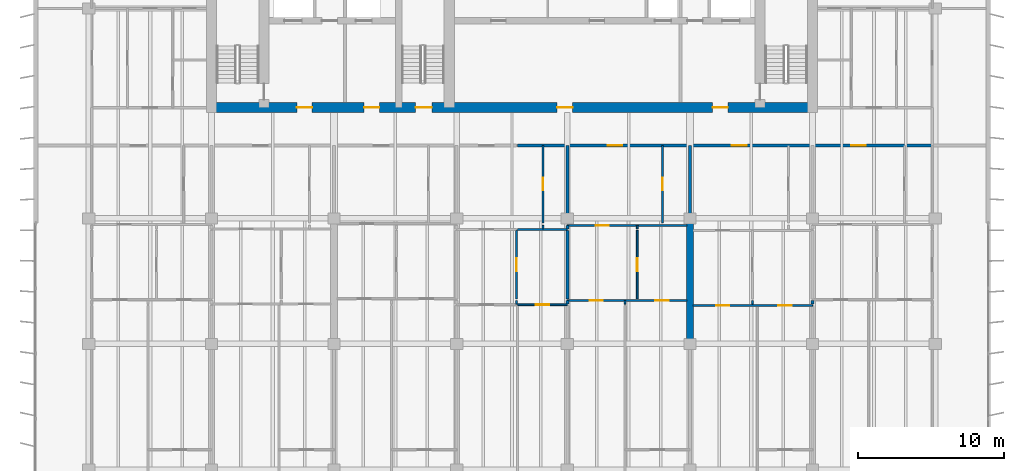
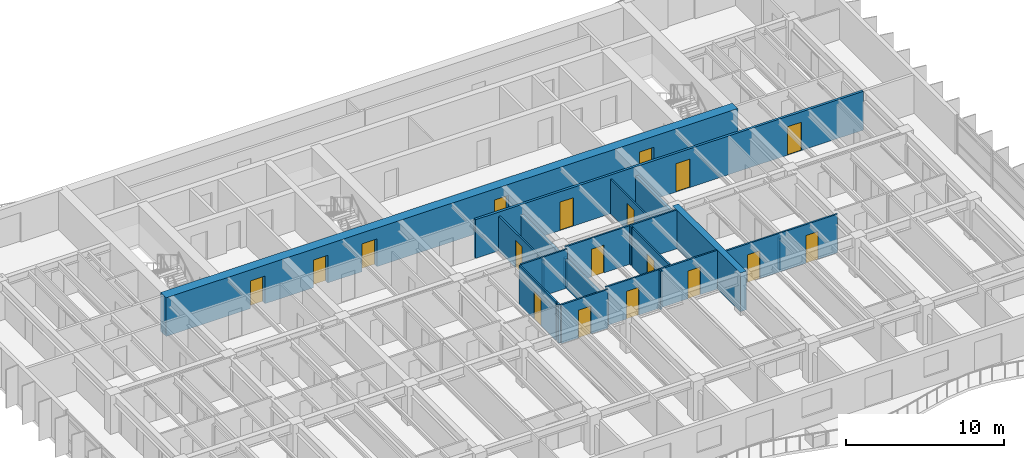
# One storey, part 11 of 19: 23 walls, 18 doors, 18 openings.
"""IFC4 building model written with IfcOpenShell, lengths in metres."""

import ifcopenshell
import ifcopenshell.guid

model = None  # the IFC model being written
_history = None  # IfcOwnerHistory: only IFC2X3 demands one
_inside = {}  # id of a spatial element -> (the spatial element, [elements in it])
_under = {}  # id of a project, library or spatial element -> (it, [spatial elements below it])
_declared = {}  # id of a project -> (the project, [libraries it declares])
_typed = {}  # id of a type object -> (the type object, [elements of that type])
_made_of = {}  # id of a material, layer set ... -> (it, [elements and type objects made of it])


def new_model(schema):
    """Start an empty IFC model of exactly this schema.

    Asked for "IFC4X3", IfcOpenShell would pick the latest addendum, in which some entities
    have other attributes; the version numbers below select the first issue.
    IFC2X3 requires an IfcOwnerHistory on every rooted entity: one is made here for all.
    """
    global model, _history
    if schema == "IFC4X3":
        model = ifcopenshell.file(schema_version=(4, 3, 0, 0))
    else:
        model = ifcopenshell.file(schema=schema)
    _inside.clear()
    _under.clear()
    _declared.clear()
    _typed.clear()
    _made_of.clear()
    _history = None
    if model.schema == "IFC2X3":
        org = make("IfcOrganization", Name="unknown")
        user = make(
            "IfcPersonAndOrganization",
            ThePerson=make("IfcPerson", FamilyName="unknown"),
            TheOrganization=org,
        )
        app = make(
            "IfcApplication",
            ApplicationDeveloper=org,
            Version="unknown",
            ApplicationFullName="unknown",
            ApplicationIdentifier="unknown",
        )
        _history = make(
            "IfcOwnerHistory",
            OwningUser=user,
            OwningApplication=app,
            ChangeAction="ADDED",
            CreationDate=0,
        )
    return model


def make(cls, **values):
    """One entity of the class cls with the attributes given. An attribute that is None is left unset."""
    return model.create_entity(
        cls, **{name: value for name, value in values.items() if value is not None}
    )


def rooted(cls, **values):
    """An entity with a GlobalId (a new one), such as an element, a storey or a relation."""
    return make(cls, GlobalId=ifcopenshell.guid.new(), OwnerHistory=_history, **values)


def si_unit(unit_type, name, prefix=None):
    """IfcSIUnit, for example si_unit("LENGTHUNIT", "METRE", prefix="MILLI")."""
    return make("IfcSIUnit", UnitType=unit_type, Prefix=prefix, Name=name)


def assignment(units):
    """IfcUnitAssignment: the units of a project."""
    return None if units is None else make("IfcUnitAssignment", Units=units)


def point(xyz):
    """IfcCartesianPoint."""
    return None if xyz is None else make("IfcCartesianPoint", Coordinates=xyz)


def direction(xyz):
    """IfcDirection."""
    return None if xyz is None else make("IfcDirection", DirectionRatios=xyz)


def frame(location, z_axis=None, x_axis=None):
    """IfcAxis2Placement3D, a coordinate frame: its origin and axes. An axis left out is left unset."""
    return make(
        "IfcAxis2Placement3D",
        Location=point(location),
        Axis=direction(z_axis),
        RefDirection=direction(x_axis),
    )


def frame_2d(location, x_axis=None):
    """IfcAxis2Placement2D, a coordinate frame in the plane: its origin and x axis."""
    return make(
        "IfcAxis2Placement2D", Location=point(location), RefDirection=direction(x_axis)
    )


def origin():
    """The frame at (0, 0, 0) with its axes left unset."""
    return frame((0.0, 0.0, 0.0))


def place(relative_to, where):
    """IfcLocalPlacement: puts the frame where relative to a parent placement (None: the world)."""
    return make(
        "IfcLocalPlacement", PlacementRelTo=relative_to, RelativePlacement=where
    )


def context(
    kind, dimensions, precision=None, world=None, true_north=None, identifier=None
):
    """IfcGeometricRepresentationContext, for example the 3D "Model" context."""
    return make(
        "IfcGeometricRepresentationContext",
        ContextIdentifier=identifier,
        ContextType=kind,
        CoordinateSpaceDimension=dimensions,
        Precision=precision,
        WorldCoordinateSystem=world,
        TrueNorth=true_north,
    )


def subcontext(parent, identifier, kind, view, scale=None):
    """IfcGeometricRepresentationSubContext, for example "Body" below "Model"."""
    return make(
        "IfcGeometricRepresentationSubContext",
        ContextIdentifier=identifier,
        ContextType=kind,
        ParentContext=parent,
        TargetScale=scale,
        TargetView=view,
    )


def project(units=None, contexts=None):
    """IfcProject with its units and contexts."""
    return rooted(
        "IfcProject",
        Name="project",
        RepresentationContexts=contexts,
        UnitsInContext=assignment(units),
    )


def spatial(cls, under=None, at=None, **own):
    """A site, building, storey or space (cls), placed at a placement, below another one or the project."""
    s = rooted(cls, ObjectPlacement=at, **own)
    if under is not None:
        _under.setdefault(under.id(), (under, []))[1].append(s)
    return s


def profile(cls, at=None, kind="AREA", **sizes):
    """A parametric profile (cls). Its sizes go by their IFC names, for example OverallWidth=200.0."""
    return make(cls, ProfileType=kind, Position=at, **sizes)


def rectangle(**sizes):
    """IfcRectangleProfileDef."""
    return profile("IfcRectangleProfileDef", **sizes)


def extrude(swept, where, along, depth):
    """IfcExtrudedAreaSolid: the profile swept, set in the frame where, extruded along a direction by depth."""
    return make(
        "IfcExtrudedAreaSolid",
        SweptArea=swept,
        Position=where,
        ExtrudedDirection=direction(along),
        Depth=depth,
    )


def shape(context_of_items, identifier, shape_type, items):
    """IfcShapeRepresentation: the items that make up one representation, for example the "Body"."""
    return make(
        "IfcShapeRepresentation",
        ContextOfItems=context_of_items,
        RepresentationIdentifier=identifier,
        RepresentationType=shape_type,
        Items=items,
    )


def material(Name=None, Category=None):
    """IfcMaterial."""
    return make("IfcMaterial", Name=Name, Category=Category)


def layer(
    of_material, thickness, ventilated=None, Name=None, Category=None, Priority=None
):
    """IfcMaterialLayer: one layer of a wall or slab, of a material (None: an air gap)."""
    return make(
        "IfcMaterialLayer",
        Material=of_material,
        LayerThickness=thickness,
        IsVentilated=ventilated,
        Name=Name,
        Category=Category,
        Priority=Priority,
    )


def layer_set(layers, Name=None):
    """IfcMaterialLayerSet."""
    return make("IfcMaterialLayerSet", MaterialLayers=layers, LayerSetName=Name)


def made_of(thing, what):
    """Note that an element or type object is made of a material, layer set ...; save() writes the relation."""
    if what is not None:
        _made_of.setdefault(what.id(), (what, []))[1].append(thing)
    return thing


def type_object(cls, material=None, **own):
    """A type object (cls), such as IfcWallType, which elements share."""
    return made_of(rooted(cls, **own), material)


def element(
    cls,
    number,
    at=None,
    inside=None,
    cuts=None,
    type_object=None,
    material=None,
    context=None,
    identifier="Body",
    shape_type=None,
    held_by="IfcProductDefinitionShape",
    body=None,
    shapes=None,
    **own,
):
    """One element of the class cls, such as IfcWall. Its Tag is "e" and its number.

    at: its placement. inside: the storey or other place that contains it. cuts: it is an
    opening in that element (IfcRelVoidsElement). A single representation is given by context,
    identifier, shape_type and body (its items); several are given by shapes. held_by: the class
    of the entity that holds the representations. save() writes the other relations.
    """
    e = rooted(cls, Tag="e%d" % number, ObjectPlacement=at, **own)
    if body is not None:
        shapes = [shape(context, identifier, shape_type, body)]
    if shapes is not None:
        e.Representation = make(held_by, Representations=shapes)
    if inside is not None:
        _inside.setdefault(inside.id(), (inside, []))[1].append(e)
    if cuts is not None:
        rooted(
            "IfcRelVoidsElement", RelatingBuildingElement=cuts, RelatedOpeningElement=e
        )
    if type_object is not None:
        _typed.setdefault(type_object.id(), (type_object, []))[1].append(e)
    return made_of(e, material)


def fill(opening, filler):
    """IfcRelFillsElement: the door or window that sits in an opening."""
    return rooted(
        "IfcRelFillsElement",
        RelatingOpeningElement=opening,
        RelatedBuildingElement=filler,
    )


def aggregate(whole, parts):
    """IfcRelAggregates: a whole, such as a stair, and the parts it consists of."""
    return rooted("IfcRelAggregates", RelatingObject=whole, RelatedObjects=parts)


def save(model, path):
    """Write the relations noted so far, then the file.

    IfcRelAggregates (storeys below a building ...), IfcRelContainedInSpatialStructure (elements
    in a storey), IfcRelDefinesByType, IfcRelAssociatesMaterial and IfcRelDeclares: one each for
    every whole, place, type object, material and project.
    """
    for whole, parts in _under.values():
        aggregate(whole, parts)
    for where, things in _inside.values():
        rooted(
            "IfcRelContainedInSpatialStructure",
            RelatedElements=things,
            RelatingStructure=where,
        )
    for kind, things in _typed.values():
        rooted("IfcRelDefinesByType", RelatedObjects=things, RelatingType=kind)
    for what, things in _made_of.values():
        rooted("IfcRelAssociatesMaterial", RelatedObjects=things, RelatingMaterial=what)
    for by, libraries in _declared.values():
        rooted("IfcRelDeclares", RelatingContext=by, RelatedDefinitions=libraries)
    model.write(path)


model = new_model("IFC4")

# Units and contexts
model_context = context("Model", 3, precision=1e-05, world=origin(), true_north=direction((0.0, 1.0)))
body_context = subcontext(model_context, "Body", "Model", "MODEL_VIEW")
ifc_project = project(units=[si_unit("LENGTHUNIT", "METRE"), si_unit("AREAUNIT", "SQUARE_METRE"), si_unit("VOLUMEUNIT", "CUBIC_METRE"), si_unit("PLANEANGLEUNIT", "RADIAN"), si_unit("MASSUNIT", "GRAM", prefix="KILO")], contexts=[model_context])

# Site, building, storey
site_placement = place(None, origin())
site = spatial("IfcSite", under=ifc_project, at=site_placement, CompositionType="ELEMENT")
building_placement = place(site_placement, origin())
building = spatial("IfcBuilding", under=site, at=building_placement, Name="Caelmar Bay Residences", CompositionType="ELEMENT")
storey_placement = place(building_placement, frame((0.0, 0.0, 218.10009765625)))
storey = spatial("IfcBuildingStorey", under=building, at=storey_placement, Name="L61", CompositionType="ELEMENT", Elevation=218.10009765625)

# Wall, openings, doors
ifc_material_1 = material(Name="Concrete f'c 55 MPa (8,000 psi)", Category="concrete")
ifc_layer_1 = layer(ifc_material_1, 0.699951171875)
ifc_layer_set_1 = layer_set([ifc_layer_1], Name="Concrete f'c 55 MPa (8,000 psi)")
wall_type_1 = type_object("IfcWallType", Name="SW-COR-700", PredefinedType="SHEAR", material=ifc_layer_set_1)
wall_1_placement = place(storey_placement, frame((17.949951171875, 37.0, 0.0), z_axis=(0.0, 0.0, 1.0), x_axis=(1.0, 0.0, 0.0)))
wall_1 = element("IfcWall", 1, at=wall_1_placement, inside=storey, type_object=wall_type_1, Name="L61 Rear Core South Shear Wall", PredefinedType="SHEAR", context=body_context, shape_type="SweptSolid", body=[
    extrude(rectangle(XDim=41.900146484375, YDim=0.699951171875, at=frame_2d((20.9501953125, 0.0))), origin(), (0.0, 0.0, 1.0), 3.0),
])
opening_1_placement = place(wall_1_placement, frame((14.35009765625, 0.0, 0.0)))
opening_1 = element("IfcOpeningElement", 2, at=opening_1_placement, cuts=wall_1, Name="Opening D-L61-105", PredefinedType="OPENING", context=body_context, shape_type="SweptSolid", body=[
    extrude(rectangle(XDim=1.10009765625, YDim=2.14990234375, at=frame_2d((0.550048828125, 1.074951171875))), frame((0.0, 0.35986328125, 0.0), z_axis=(0.0, -1.0, 0.0), x_axis=(1.0, 0.0, 0.0)), (0.0, 0.0, 1.0), 0.719970703125),
])
opening_2_placement = place(wall_1_placement, frame((6.199951171875, 0.0, 0.0)))
opening_2 = element("IfcOpeningElement", 3, at=opening_2_placement, cuts=wall_1, Name="Opening D-L61-106", PredefinedType="OPENING", context=body_context, shape_type="SweptSolid", body=[
    extrude(rectangle(XDim=1.050048828125, YDim=2.14990234375, at=frame_2d((0.52490234375, 1.074951171875))), frame((0.0, 0.35986328125, 0.0), z_axis=(0.0, -1.0, 0.0), x_axis=(1.0, 0.0, 0.0)), (0.0, 0.0, 1.0), 0.719970703125),
])
opening_3_placement = place(wall_1_placement, frame((34.699951171875, 0.0, 0.0)))
opening_3 = element("IfcOpeningElement", 4, at=opening_3_placement, cuts=wall_1, Name="Opening D-L61-109", PredefinedType="OPENING", context=body_context, shape_type="SweptSolid", body=[
    extrude(rectangle(XDim=1.050048828125, YDim=2.14990234375, at=frame_2d((0.52490234375, 1.074951171875))), frame((0.0, 0.35986328125, 0.0), z_axis=(0.0, -1.0, 0.0), x_axis=(1.0, 0.0, 0.0)), (0.0, 0.0, 1.0), 0.719970703125),
])
opening_4_placement = place(wall_1_placement, frame((10.8125, 0.0, 0.0)))
opening_4 = element("IfcOpeningElement", 5, at=opening_4_placement, cuts=wall_1, Name="Opening D-L61-112", PredefinedType="OPENING", context=body_context, shape_type="SweptSolid", body=[
    extrude(rectangle(XDim=1.050048828125, YDim=2.14990234375, at=frame_2d((0.52490234375, 1.074951171875))), frame((0.0, 0.35986328125, 0.0), z_axis=(0.0, -1.0, 0.0), x_axis=(1.0, 0.0, 0.0)), (0.0, 0.0, 1.0), 0.719970703125),
])
opening_5_placement = place(wall_1_placement, frame((24.050048828125, 0.0, 0.0)))
opening_5 = element("IfcOpeningElement", 6, at=opening_5_placement, cuts=wall_1, Name="Opening D-L61-113", PredefinedType="OPENING", context=body_context, shape_type="SweptSolid", body=[
    extrude(rectangle(XDim=1.050048828125, YDim=2.14990234375, at=frame_2d((0.52490234375, 1.074951171875))), frame((0.0, 0.35986328125, 0.0), z_axis=(0.0, -1.0, 0.0), x_axis=(1.0, 0.0, 0.0)), (0.0, 0.0, 1.0), 0.719970703125),
])
ifc_material_2 = material(Name="Fire-rated steel and walnut architectural door assembly", Category="steel")
ifc_layer_2 = layer(ifc_material_2, 0.050048828125)
ifc_layer_set_2 = layer_set([ifc_layer_2], Name="Fire-rated steel and walnut architectural door assembly")
door_type_1 = type_object("IfcDoorType", Name="D-FSAE-1050", OperationType="NOTDEFINED", PredefinedType="DOOR", material=ifc_layer_set_2)
door_1_placement = place(opening_2_placement, origin())
door_1 = element("IfcDoor", 7, at=door_1_placement, inside=storey, type_object=door_type_1, Name="L61 Firefighting Lobby West Door", OperationType="SINGLE_SWING_RIGHT", OverallHeight=2.14990234375, OverallWidth=1.050048828125, PredefinedType="DOOR", context=body_context, shape_type="SweptSolid", body=[
    extrude(rectangle(XDim=1.050048828125, YDim=2.14990234375, at=frame_2d((0.52490234375, 1.074951171875))), frame((0.0, 0.02490234375, 0.0), z_axis=(0.0, -1.0, 0.0), x_axis=(1.0, 0.0, 0.0)), (0.0, 0.0, 1.0), 0.050048828125),
])
fill(opening_2, door_1)
door_2_placement = place(opening_3_placement, origin())
door_2 = element("IfcDoor", 8, at=door_2_placement, inside=storey, type_object=door_type_1, Name="L61 Firefighting Lobby East Door", OperationType="SINGLE_SWING_LEFT", OverallHeight=2.14990234375, OverallWidth=1.050048828125, PredefinedType="DOOR", context=body_context, shape_type="SweptSolid", body=[
    extrude(rectangle(XDim=1.050048828125, YDim=2.14990234375, at=frame_2d((0.52490234375, 1.074951171875))), frame((0.0, 0.02490234375, 0.0), z_axis=(0.0, -1.0, 0.0), x_axis=(1.0, 0.0, 0.0)), (0.0, 0.0, 1.0), 0.050048828125),
])
fill(opening_3, door_2)
door_3_placement = place(opening_4_placement, origin())
door_3 = element("IfcDoor", 9, at=door_3_placement, inside=storey, type_object=door_type_1, Name="L61 West Lift Lobby Door", OperationType="SINGLE_SWING_RIGHT", OverallHeight=2.14990234375, OverallWidth=1.050048828125, PredefinedType="DOOR", context=body_context, shape_type="SweptSolid", body=[
    extrude(rectangle(XDim=1.050048828125, YDim=2.14990234375, at=frame_2d((0.52490234375, 1.074951171875))), frame((0.0, 0.02490234375, 0.0), z_axis=(0.0, -1.0, 0.0), x_axis=(1.0, 0.0, 0.0)), (0.0, 0.0, 1.0), 0.050048828125),
])
fill(opening_4, door_3)
door_4_placement = place(opening_5_placement, origin())
door_4 = element("IfcDoor", 10, at=door_4_placement, inside=storey, type_object=door_type_1, Name="L61 Passenger Lift Lobby Door", OperationType="SINGLE_SWING_LEFT", OverallHeight=2.14990234375, OverallWidth=1.050048828125, PredefinedType="DOOR", context=body_context, shape_type="SweptSolid", body=[
    extrude(rectangle(XDim=1.050048828125, YDim=2.14990234375, at=frame_2d((0.52490234375, 1.074951171875))), frame((0.0, 0.02490234375, 0.0), z_axis=(0.0, -1.0, 0.0), x_axis=(1.0, 0.0, 0.0)), (0.0, 0.0, 1.0), 0.050048828125),
])
fill(opening_5, door_4)
ifc_layer_3 = layer(ifc_material_2, 0.050048828125)
ifc_layer_set_3 = layer_set([ifc_layer_3], Name="Fire-rated steel and walnut architectural door assembly")
door_type_2 = type_object("IfcDoorType", Name="D-STAIR-1100", OperationType="NOTDEFINED", PredefinedType="DOOR", material=ifc_layer_set_3)
door_5_placement = place(opening_1_placement, origin())
door_5 = element("IfcDoor", 11, at=door_5_placement, inside=storey, type_object=door_type_2, Name="L61 Exit Stair ST3 Door", OperationType="SINGLE_SWING_LEFT", OverallHeight=2.14990234375, OverallWidth=1.10009765625, PredefinedType="DOOR", context=body_context, shape_type="SweptSolid", body=[
    extrude(rectangle(XDim=1.10009765625, YDim=2.14990234375, at=frame_2d((0.550048828125, 1.074951171875))), frame((0.0, 0.02490234375, 0.0), z_axis=(0.0, -1.0, 0.0), x_axis=(1.0, 0.0, 0.0)), (0.0, 0.0, 1.0), 0.050048828125),
])
fill(opening_1, door_5)

# Wall
ifc_layer_4 = layer(ifc_material_1, 0.449951171875)
ifc_layer_set_4 = layer_set([ifc_layer_4], Name="Concrete f'c 55 MPa (8,000 psi)")
wall_type_2 = type_object("IfcWallType", Name="SW-XSLB-450", PredefinedType="SHEAR", material=ifc_layer_set_4)
wall_2_placement = place(storey_placement, frame((51.10009765625, 20.800048828125, 0.0), z_axis=(0.0, 0.0, 1.0), x_axis=(0.0, 1.0, 0.0)))
element("IfcWall", 12, at=wall_2_placement, inside=storey, type_object=wall_type_2, Name="L61 Transverse Cross-Slab Shear Wall E8", PredefinedType="SHEAR", context=body_context, shape_type="SweptSolid", body=[
    extrude(rectangle(XDim=8.599853515625, YDim=0.449951171875, at=frame_2d((4.2998046875, 0.0))), origin(), (0.0, 0.0, 1.0), 3.0),
])

# Wall, openings, doors
ifc_material_3 = material(Name="Double-stud acoustic fire-rated gypsum partition 180 mm")
ifc_layer_5 = layer(ifc_material_3, 0.179931640625)
ifc_layer_set_5 = layer_set([ifc_layer_5], Name="Double-stud acoustic fire-rated gypsum partition 180 mm")
wall_type_3 = type_object("IfcWallType", Name="W-COR-200", PredefinedType="PARTITIONING", material=ifc_layer_set_5)
wall_3_placement = place(storey_placement, frame((39.280029296875, 34.39990234375, 0.0), z_axis=(0.0, 0.0, 1.0), x_axis=(1.0, 0.0, 0.0)))
wall_3 = element("IfcWall", 13, at=wall_3_placement, inside=storey, type_object=wall_type_3, Name="L61 Partition Wall H128", PredefinedType="PARTITIONING", context=body_context, shape_type="SweptSolid", body=[
    extrude(rectangle(XDim=28.419921875, YDim=0.179931640625, at=frame_2d((14.2099609375, 0.0))), origin(), (0.0, 0.0, 1.0), 3.0),
])
opening_6_placement = place(wall_3_placement, frame((6.179931640625, 0.0, 0.0)))
opening_6 = element("IfcOpeningElement", 14, at=opening_6_placement, cuts=wall_3, Name="Opening D-L61-147", PredefinedType="OPENING", context=body_context, shape_type="SweptSolid", body=[
    extrude(rectangle(XDim=1.0, YDim=2.199951171875, at=frame_2d((0.5, 1.10009765625))), frame((0.0, 0.099853515625, 0.0), z_axis=(0.0, -1.0, 0.0), x_axis=(1.0, 0.0, 0.0)), (0.0, 0.0, 1.0), 0.199951171875),
])
opening_7_placement = place(wall_3_placement, frame((14.695068359375, 0.0, 0.0)))
opening_7 = element("IfcOpeningElement", 15, at=opening_7_placement, cuts=wall_3, Name="Opening D-L61-154", PredefinedType="OPENING", context=body_context, shape_type="SweptSolid", body=[
    extrude(rectangle(XDim=1.0, YDim=2.199951171875, at=frame_2d((0.5, 1.10009765625))), frame((0.0, 0.099853515625, 0.0), z_axis=(0.0, -1.0, 0.0), x_axis=(1.0, 0.0, 0.0)), (0.0, 0.0, 1.0), 0.199951171875),
])
opening_8_placement = place(wall_3_placement, frame((22.8701171875, 0.0, 0.0)))
opening_8 = element("IfcOpeningElement", 16, at=opening_8_placement, cuts=wall_3, Name="Opening D-L61-161", PredefinedType="OPENING", context=body_context, shape_type="SweptSolid", body=[
    extrude(rectangle(XDim=1.0, YDim=2.199951171875, at=frame_2d((0.5, 1.10009765625))), frame((0.0, 0.099853515625, 0.0), z_axis=(0.0, -1.0, 0.0), x_axis=(1.0, 0.0, 0.0)), (0.0, 0.0, 1.0), 0.199951171875),
])
ifc_layer_6 = layer(ifc_material_2, 0.050048828125)
ifc_layer_set_6 = layer_set([ifc_layer_6], Name="Fire-rated steel and walnut architectural door assembly")
door_type_3 = type_object("IfcDoorType", Name="D-UNIT-1000", OperationType="NOTDEFINED", PredefinedType="DOOR", material=ifc_layer_set_6)
door_6_placement = place(opening_6_placement, origin())
door_6 = element("IfcDoor", 17, at=door_6_placement, inside=storey, type_object=door_type_3, Name="L61 Residence 05 Apartment Hall Door", OperationType="SINGLE_SWING_LEFT", OverallHeight=2.199951171875, OverallWidth=1.0, PredefinedType="DOOR", context=body_context, shape_type="SweptSolid", body=[
    extrude(rectangle(XDim=1.0, YDim=2.199951171875, at=frame_2d((0.5, 1.10009765625))), frame((0.0, 0.02490234375, 0.0), z_axis=(0.0, -1.0, 0.0), x_axis=(1.0, 0.0, 0.0)), (0.0, 0.0, 1.0), 0.050048828125),
])
fill(opening_6, door_6)
door_7_placement = place(opening_7_placement, origin())
door_7 = element("IfcDoor", 18, at=door_7_placement, inside=storey, type_object=door_type_3, Name="L61 Residence 06 Apartment Hall Door", OperationType="SINGLE_SWING_RIGHT", OverallHeight=2.199951171875, OverallWidth=1.0, PredefinedType="DOOR", context=body_context, shape_type="SweptSolid", body=[
    extrude(rectangle(XDim=1.0, YDim=2.199951171875, at=frame_2d((0.5, 1.10009765625))), frame((0.0, 0.02490234375, 0.0), z_axis=(0.0, -1.0, 0.0), x_axis=(1.0, 0.0, 0.0)), (0.0, 0.0, 1.0), 0.050048828125),
])
fill(opening_7, door_7)
door_8_placement = place(opening_8_placement, origin())
door_8 = element("IfcDoor", 19, at=door_8_placement, inside=storey, type_object=door_type_3, Name="L61 Residence 07 Apartment Hall Door", OperationType="SINGLE_SWING_LEFT", OverallHeight=2.199951171875, OverallWidth=1.0, PredefinedType="DOOR", context=body_context, shape_type="SweptSolid", body=[
    extrude(rectangle(XDim=1.0, YDim=2.199951171875, at=frame_2d((0.5, 1.10009765625))), frame((0.0, 0.02490234375, 0.0), z_axis=(0.0, -1.0, 0.0), x_axis=(1.0, 0.0, 0.0)), (0.0, 0.0, 1.0), 0.050048828125),
])
fill(opening_8, door_8)

# Wall
ifc_material_4 = material(Name="Acoustic metal-stud gypsum partition 120 mm")
ifc_layer_7 = layer(ifc_material_4, 0.1201171875)
ifc_layer_set_7 = layer_set([ifc_layer_7], Name="Acoustic metal-stud gypsum partition 120 mm")
wall_type_4 = type_object("IfcWallType", Name="W-PRT-120", PredefinedType="PARTITIONING", material=ifc_layer_set_7)
wall_4_placement = place(storey_placement, frame((39.2041015625, 23.530029296875, 0.0), z_axis=(0.0, 0.0, 1.0), x_axis=(0.0, 1.0, 0.0)))
element("IfcWall", 20, at=wall_4_placement, inside=storey, type_object=wall_type_4, Name="L61 Partition Wall V049", PredefinedType="PARTITIONING", context=body_context, shape_type="SweptSolid", body=[
    extrude(rectangle(XDim=0.239990234375, YDim=0.1201171875, at=frame_2d((0.1201171875, 0.0))), origin(), (0.0, 0.0, 1.0), 3.0),
])

# Wall, opening, door
wall_5_placement = place(storey_placement, frame((39.2041015625, 23.889892578125, 0.0), z_axis=(0.0, 0.0, 1.0), x_axis=(0.0, 1.0, 0.0)))
wall_5 = element("IfcWall", 21, at=wall_5_placement, inside=storey, type_object=wall_type_4, Name="L61 Partition Wall V050", PredefinedType="PARTITIONING", context=body_context, shape_type="SweptSolid", body=[
    extrude(rectangle(XDim=4.690185546875, YDim=0.1201171875, at=frame_2d((2.34521484375, 0.0))), origin(), (0.0, 0.0, 1.0), 3.0),
])
opening_9_placement = place(wall_5_placement, frame((1.89501953125, 0.0, 0.0)))
opening_9 = element("IfcOpeningElement", 22, at=opening_9_placement, cuts=wall_5, Name="Opening D-L61-144", PredefinedType="OPENING", context=body_context, shape_type="SweptSolid", body=[
    extrude(rectangle(XDim=0.89990234375, YDim=2.14990234375, at=frame_2d((0.449951171875, 1.074951171875))), frame((0.0, 0.070068359375, 0.0), z_axis=(0.0, -1.0, 0.0), x_axis=(1.0, 0.0, 0.0)), (0.0, 0.0, 1.0), 0.14013671875),
])
ifc_material_5 = material(Name="Solid walnut timber interior door leaf and frame", Category="wood")
ifc_layer_8 = layer(ifc_material_5, 0.050048828125)
ifc_layer_set_8 = layer_set([ifc_layer_8], Name="Solid walnut timber interior door leaf and frame")
door_type_4 = type_object("IfcDoorType", Name="D-ROOM-900", OperationType="NOTDEFINED", PredefinedType="DOOR", material=ifc_layer_set_8)
door_9_placement = place(opening_9_placement, origin())
door_9 = element("IfcDoor", 23, at=door_9_placement, inside=storey, type_object=door_type_4, Name="L61 Residence 04 Curator Office Door", OperationType="SINGLE_SWING_RIGHT", OverallHeight=2.14990234375, OverallWidth=0.89990234375, PredefinedType="DOOR", context=body_context, shape_type="SweptSolid", body=[
    extrude(rectangle(XDim=0.89990234375, YDim=2.14990234375, at=frame_2d((0.449951171875, 1.074951171875))), frame((0.0, 0.02490234375, 0.0), z_axis=(0.0, -1.0, 0.0), x_axis=(1.0, 0.0, 0.0)), (0.0, 0.0, 1.0), 0.050048828125),
])
fill(opening_9, door_9)

# Wall
wall_6_placement = place(storey_placement, frame((41.032958984375, 28.679931640625, 0.0), z_axis=(0.0, 0.0, 1.0), x_axis=(0.0, 1.0, 0.0)))
element("IfcWall", 24, at=wall_6_placement, inside=storey, type_object=wall_type_4, Name="L61 Partition Wall V053", PredefinedType="PARTITIONING", context=body_context, shape_type="SweptSolid", body=[
    extrude(rectangle(XDim=0.239990234375, YDim=0.1201171875, at=frame_2d((0.1201171875, 0.0))), origin(), (0.0, 0.0, 1.0), 2.6748046875),
])

# Wall, opening, door
wall_7_placement = place(storey_placement, frame((41.032958984375, 29.10009765625, 0.0), z_axis=(0.0, 0.0, 1.0), x_axis=(0.0, 1.0, 0.0)))
wall_7 = element("IfcWall", 25, at=wall_7_placement, inside=storey, type_object=wall_type_4, Name="L61 Partition Wall V054", PredefinedType="PARTITIONING", context=body_context, shape_type="SweptSolid", body=[
    extrude(rectangle(XDim=5.2998046875, YDim=0.1201171875, at=frame_2d((2.64990234375, 0.0))), origin(), (0.0, 0.0, 1.0), 2.6748046875),
])
opening_10_placement = place(wall_7_placement, frame((2.22509765625, 0.0, 0.0)))
opening_10 = element("IfcOpeningElement", 26, at=opening_10_placement, cuts=wall_7, Name="Opening D-L61-142", PredefinedType="OPENING", context=body_context, shape_type="SweptSolid", body=[
    extrude(rectangle(XDim=0.85009765625, YDim=2.10009765625, at=frame_2d((0.425048828125, 1.050048828125))), frame((0.0, 0.070068359375, 0.0), z_axis=(0.0, -1.0, 0.0), x_axis=(1.0, 0.0, 0.0)), (0.0, 0.0, 1.0), 0.14013671875),
])
ifc_layer_9 = layer(ifc_material_5, 0.050048828125)
ifc_layer_set_9 = layer_set([ifc_layer_9], Name="Solid walnut timber interior door leaf and frame")
door_type_5 = type_object("IfcDoorType", Name="D-BATH-850", OperationType="NOTDEFINED", PredefinedType="DOOR", material=ifc_layer_set_9)
door_10_placement = place(opening_10_placement, origin())
door_10 = element("IfcDoor", 27, at=door_10_placement, inside=storey, type_object=door_type_5, Name="L61 Residence 04 Bathroom Door", OperationType="SINGLE_SWING_RIGHT", OverallHeight=2.10009765625, OverallWidth=0.85009765625, PredefinedType="DOOR", context=body_context, shape_type="SweptSolid", body=[
    extrude(rectangle(XDim=0.85009765625, YDim=2.10009765625, at=frame_2d((0.425048828125, 1.050048828125))), frame((0.0, 0.02490234375, 0.0), z_axis=(0.0, -1.0, 0.0), x_axis=(1.0, 0.0, 0.0)), (0.0, 0.0, 1.0), 0.050048828125),
])
fill(opening_10, door_10)

# Wall
wall_8_placement = place(storey_placement, frame((46.64794921875, 23.530029296875, 0.0), z_axis=(0.0, 0.0, 1.0), x_axis=(0.0, 1.0, 0.0)))
element("IfcWall", 28, at=wall_8_placement, inside=storey, type_object=wall_type_4, Name="L61 Partition Wall V064", PredefinedType="PARTITIONING", context=body_context, shape_type="SweptSolid", body=[
    extrude(rectangle(XDim=0.239990234375, YDim=0.1201171875, at=frame_2d((0.1201171875, 0.0))), origin(), (0.0, 0.0, 1.0), 3.0),
])

# Wall, opening, door
wall_9_placement = place(storey_placement, frame((47.486083984375, 23.889892578125, 0.0), z_axis=(0.0, 0.0, 1.0), x_axis=(0.0, 1.0, 0.0)))
wall_9 = element("IfcWall", 29, at=wall_9_placement, inside=storey, type_object=wall_type_4, Name="L61 Partition Wall V065", PredefinedType="PARTITIONING", context=body_context, shape_type="SweptSolid", body=[
    extrude(rectangle(XDim=4.690185546875, YDim=0.1201171875, at=frame_2d((2.34521484375, 0.0))), origin(), (0.0, 0.0, 1.0), 3.0),
])
opening_11_placement = place(wall_9_placement, frame((1.89501953125, 0.0, 0.0)))
opening_11 = element("IfcOpeningElement", 30, at=opening_11_placement, cuts=wall_9, Name="Opening D-L61-150", PredefinedType="OPENING", context=body_context, shape_type="SweptSolid", body=[
    extrude(rectangle(XDim=0.89990234375, YDim=2.14990234375, at=frame_2d((0.449951171875, 1.074951171875))), frame((0.0, 0.070068359375, 0.0), z_axis=(0.0, -1.0, 0.0), x_axis=(1.0, 0.0, 0.0)), (0.0, 0.0, 1.0), 0.14013671875),
])
door_11_placement = place(opening_11_placement, origin())
door_11 = element("IfcDoor", 31, at=door_11_placement, inside=storey, type_object=door_type_4, Name="L61 Residence 05 Curator Office Door", OperationType="SINGLE_SWING_RIGHT", OverallHeight=2.14990234375, OverallWidth=0.89990234375, PredefinedType="DOOR", context=body_context, shape_type="SweptSolid", body=[
    extrude(rectangle(XDim=0.89990234375, YDim=2.14990234375, at=frame_2d((0.449951171875, 1.074951171875))), frame((0.0, 0.02490234375, 0.0), z_axis=(0.0, -1.0, 0.0), x_axis=(1.0, 0.0, 0.0)), (0.0, 0.0, 1.0), 0.050048828125),
])
fill(opening_11, door_11)

# Wall
wall_10_placement = place(storey_placement, frame((47.486083984375, 28.679931640625, 0.0), z_axis=(0.0, 0.0, 1.0), x_axis=(0.0, 1.0, 0.0)))
element("IfcWall", 32, at=wall_10_placement, inside=storey, type_object=wall_type_4, Name="L61 Partition Wall V066", PredefinedType="PARTITIONING", context=body_context, shape_type="SweptSolid", body=[
    extrude(rectangle(XDim=0.239990234375, YDim=0.1201171875, at=frame_2d((0.1201171875, 0.0))), origin(), (0.0, 0.0, 1.0), 3.0),
])

# Wall, opening, door
wall_11_placement = place(storey_placement, frame((49.219970703125, 29.10009765625, 0.0), z_axis=(0.0, 0.0, 1.0), x_axis=(0.0, 1.0, 0.0)))
wall_11 = element("IfcWall", 33, at=wall_11_placement, inside=storey, type_object=wall_type_4, Name="L61 Partition Wall V068", PredefinedType="PARTITIONING", context=body_context, shape_type="SweptSolid", body=[
    extrude(rectangle(XDim=5.2998046875, YDim=0.1201171875, at=frame_2d((2.64990234375, 0.0))), origin(), (0.0, 0.0, 1.0), 2.6748046875),
])
opening_12_placement = place(wall_11_placement, frame((2.22509765625, 0.0, 0.0)))
opening_12 = element("IfcOpeningElement", 34, at=opening_12_placement, cuts=wall_11, Name="Opening D-L61-148", PredefinedType="OPENING", context=body_context, shape_type="SweptSolid", body=[
    extrude(rectangle(XDim=0.85009765625, YDim=2.10009765625, at=frame_2d((0.425048828125, 1.050048828125))), frame((0.0, 0.070068359375, 0.0), z_axis=(0.0, -1.0, 0.0), x_axis=(1.0, 0.0, 0.0)), (0.0, 0.0, 1.0), 0.14013671875),
])
door_12_placement = place(opening_12_placement, origin())
door_12 = element("IfcDoor", 35, at=door_12_placement, inside=storey, type_object=door_type_5, Name="L61 Residence 05 Bathroom Door", OperationType="SINGLE_SWING_RIGHT", OverallHeight=2.10009765625, OverallWidth=0.85009765625, PredefinedType="DOOR", context=body_context, shape_type="SweptSolid", body=[
    extrude(rectangle(XDim=0.85009765625, YDim=2.10009765625, at=frame_2d((0.425048828125, 1.050048828125))), frame((0.0, 0.02490234375, 0.0), z_axis=(0.0, -1.0, 0.0), x_axis=(1.0, 0.0, 0.0)), (0.0, 0.0, 1.0), 0.050048828125),
])
fill(opening_12, door_12)

# Wall
wall_12_placement = place(storey_placement, frame((55.385986328125, 23.530029296875, 0.0), z_axis=(0.0, 0.0, 1.0), x_axis=(0.0, 1.0, 0.0)))
element("IfcWall", 36, at=wall_12_placement, inside=storey, type_object=wall_type_4, Name="L61 Partition Wall V075", PredefinedType="PARTITIONING", context=body_context, shape_type="SweptSolid", body=[
    extrude(rectangle(XDim=0.239990234375, YDim=0.1201171875, at=frame_2d((0.1201171875, 0.0))), origin(), (0.0, 0.0, 1.0), 2.448974609375),
])

# Wall, openings, doors
wall_13_placement = place(storey_placement, frame((51.320068359375, 23.429931640625, 0.0), z_axis=(0.0, 0.0, 1.0), x_axis=(1.0, 0.0, 0.0)))
wall_13 = element("IfcWall", 37, at=wall_13_placement, inside=storey, type_object=wall_type_4, Name="L61 Partition Wall H110", PredefinedType="PARTITIONING", context=body_context, shape_type="SweptSolid", body=[
    extrude(rectangle(XDim=8.179931640625, YDim=0.1201171875, at=frame_2d((4.08984375, 0.0))), origin(), (0.0, 0.0, 1.0), 3.0),
])
opening_13_placement = place(wall_13_placement, frame((1.5830078125, 0.0, 0.0)))
opening_13 = element("IfcOpeningElement", 38, at=opening_13_placement, cuts=wall_13, Name="Opening D-L61-158", PredefinedType="OPENING", context=body_context, shape_type="SweptSolid", body=[
    extrude(rectangle(XDim=0.89990234375, YDim=2.14990234375, at=frame_2d((0.449951171875, 1.074951171875))), frame((0.0, 0.070068359375, 0.0), z_axis=(0.0, -1.0, 0.0), x_axis=(1.0, 0.0, 0.0)), (0.0, 0.0, 1.0), 0.14013671875),
])
opening_14_placement = place(wall_13_placement, frame((5.840087890625, 0.0, 0.0)))
opening_14 = element("IfcOpeningElement", 39, at=opening_14_placement, cuts=wall_13, Name="Opening D-L61-159", PredefinedType="OPENING", context=body_context, shape_type="SweptSolid", body=[
    extrude(rectangle(XDim=0.89990234375, YDim=2.14990234375, at=frame_2d((0.449951171875, 1.074951171875))), frame((0.0, 0.070068359375, 0.0), z_axis=(0.0, -1.0, 0.0), x_axis=(1.0, 0.0, 0.0)), (0.0, 0.0, 1.0), 0.14013671875),
])
door_13_placement = place(opening_13_placement, origin())
door_13 = element("IfcDoor", 40, at=door_13_placement, inside=storey, type_object=door_type_4, Name="L61 Residence 06 Living Room Door", OperationType="SINGLE_SWING_RIGHT", OverallHeight=2.14990234375, OverallWidth=0.89990234375, PredefinedType="DOOR", context=body_context, shape_type="SweptSolid", body=[
    extrude(rectangle(XDim=0.89990234375, YDim=2.14990234375, at=frame_2d((0.449951171875, 1.074951171875))), frame((0.0, 0.02490234375, 0.0), z_axis=(0.0, -1.0, 0.0), x_axis=(1.0, 0.0, 0.0)), (0.0, 0.0, 1.0), 0.050048828125),
])
fill(opening_13, door_13)
door_14_placement = place(opening_14_placement, origin())
door_14 = element("IfcDoor", 41, at=door_14_placement, inside=storey, type_object=door_type_4, Name="L61 Residence 06 Penthouse Sitting Room Door", OperationType="SINGLE_SWING_LEFT", OverallHeight=2.14990234375, OverallWidth=0.89990234375, PredefinedType="DOOR", context=body_context, shape_type="SweptSolid", body=[
    extrude(rectangle(XDim=0.89990234375, YDim=2.14990234375, at=frame_2d((0.449951171875, 1.074951171875))), frame((0.0, 0.02490234375, 0.0), z_axis=(0.0, -1.0, 0.0), x_axis=(1.0, 0.0, 0.0)), (0.0, 0.0, 1.0), 0.050048828125),
])
fill(opening_14, door_14)

# Wall, opening, door
wall_14_placement = place(storey_placement, frame((39.280029296875, 23.489990234375, 0.0), z_axis=(0.0, 0.0, 1.0), x_axis=(1.0, 0.0, 0.0)))
wall_14 = element("IfcWall", 42, at=wall_14_placement, inside=storey, type_object=wall_type_4, Name="L61 Partition Wall H112", PredefinedType="PARTITIONING", context=body_context, shape_type="SweptSolid", body=[
    extrude(rectangle(XDim=3.419921875, YDim=0.1201171875, at=frame_2d((1.7099609375, 0.0))), origin(), (0.0, 0.0, 1.0), 3.0),
])
opening_15_placement = place(wall_14_placement, frame((1.260009765625, 0.0, 0.0)))
opening_15 = element("IfcOpeningElement", 43, at=opening_15_placement, cuts=wall_14, Name="Opening D-L61-146", PredefinedType="OPENING", context=body_context, shape_type="SweptSolid", body=[
    extrude(rectangle(XDim=0.89990234375, YDim=2.14990234375, at=frame_2d((0.449951171875, 1.074951171875))), frame((0.0, 0.070068359375, 0.0), z_axis=(0.0, -1.0, 0.0), x_axis=(1.0, 0.0, 0.0)), (0.0, 0.0, 1.0), 0.14013671875),
])
door_15_placement = place(opening_15_placement, origin())
door_15 = element("IfcDoor", 44, at=door_15_placement, inside=storey, type_object=door_type_4, Name="L61 Residence 04 Primary Bedroom Door", OperationType="SINGLE_SWING_RIGHT", OverallHeight=2.14990234375, OverallWidth=0.89990234375, PredefinedType="DOOR", context=body_context, shape_type="SweptSolid", body=[
    extrude(rectangle(XDim=0.89990234375, YDim=2.14990234375, at=frame_2d((0.449951171875, 1.074951171875))), frame((0.0, 0.02490234375, 0.0), z_axis=(0.0, -1.0, 0.0), x_axis=(1.0, 0.0, 0.0)), (0.0, 0.0, 1.0), 0.050048828125),
])
fill(opening_15, door_15)

# Wall, openings, doors
wall_15_placement = place(storey_placement, frame((42.699951171875, 23.77001953125, 0.0), z_axis=(0.0, 0.0, 1.0), x_axis=(1.0, 0.0, 0.0)))
wall_15 = element("IfcWall", 45, at=wall_15_placement, inside=storey, type_object=wall_type_4, Name="L61 Partition Wall H114", PredefinedType="PARTITIONING", context=body_context, shape_type="SweptSolid", body=[
    extrude(rectangle(XDim=8.179931640625, YDim=0.1201171875, at=frame_2d((4.08984375, 0.0))), origin(), (0.0, 0.0, 1.0), 3.0),
])
opening_16_placement = place(wall_15_placement, frame((1.52392578125, 0.0, 0.0)))
opening_16 = element("IfcOpeningElement", 46, at=opening_16_placement, cuts=wall_15, Name="Opening D-L61-151", PredefinedType="OPENING", context=body_context, shape_type="SweptSolid", body=[
    extrude(rectangle(XDim=0.89990234375, YDim=2.14990234375, at=frame_2d((0.449951171875, 1.074951171875))), frame((0.0, 0.070068359375, 0.0), z_axis=(0.0, -1.0, 0.0), x_axis=(1.0, 0.0, 0.0)), (0.0, 0.0, 1.0), 0.14013671875),
])
opening_17_placement = place(wall_15_placement, frame((6.032958984375, 0.0, 0.0)))
opening_17 = element("IfcOpeningElement", 47, at=opening_17_placement, cuts=wall_15, Name="Opening D-L61-152", PredefinedType="OPENING", context=body_context, shape_type="SweptSolid", body=[
    extrude(rectangle(XDim=0.89990234375, YDim=2.14990234375, at=frame_2d((0.449951171875, 1.074951171875))), frame((0.0, 0.070068359375, 0.0), z_axis=(0.0, -1.0, 0.0), x_axis=(1.0, 0.0, 0.0)), (0.0, 0.0, 1.0), 0.14013671875),
])
door_16_placement = place(opening_16_placement, origin())
door_16 = element("IfcDoor", 48, at=door_16_placement, inside=storey, type_object=door_type_4, Name="L61 Residence 05 Living Room Door", OperationType="SINGLE_SWING_LEFT", OverallHeight=2.14990234375, OverallWidth=0.89990234375, PredefinedType="DOOR", context=body_context, shape_type="SweptSolid", body=[
    extrude(rectangle(XDim=0.89990234375, YDim=2.14990234375, at=frame_2d((0.449951171875, 1.074951171875))), frame((0.0, 0.02490234375, 0.0), z_axis=(0.0, -1.0, 0.0), x_axis=(1.0, 0.0, 0.0)), (0.0, 0.0, 1.0), 0.050048828125),
])
fill(opening_16, door_16)
door_17_placement = place(opening_17_placement, origin())
door_17 = element("IfcDoor", 49, at=door_17_placement, inside=storey, type_object=door_type_4, Name="L61 Residence 05 Penthouse Sitting Room Door", OperationType="SINGLE_SWING_RIGHT", OverallHeight=2.14990234375, OverallWidth=0.89990234375, PredefinedType="DOOR", context=body_context, shape_type="SweptSolid", body=[
    extrude(rectangle(XDim=0.89990234375, YDim=2.14990234375, at=frame_2d((0.449951171875, 1.074951171875))), frame((0.0, 0.02490234375, 0.0), z_axis=(0.0, -1.0, 0.0), x_axis=(1.0, 0.0, 0.0)), (0.0, 0.0, 1.0), 0.050048828125),
])
fill(opening_17, door_17)

# Wall
wall_16_placement = place(storey_placement, frame((39.280029296875, 28.639892578125, 0.0), z_axis=(0.0, 0.0, 1.0), x_axis=(1.0, 0.0, 0.0)))
element("IfcWall", 50, at=wall_16_placement, inside=storey, type_object=wall_type_4, Name="L61 Partition Wall H120", PredefinedType="PARTITIONING", context=body_context, shape_type="SweptSolid", body=[
    extrude(rectangle(XDim=3.419921875, YDim=0.1201171875, at=frame_2d((1.7099609375, 0.0))), origin(), (0.0, 0.0, 1.0), 3.0),
])

# Wall, opening, door
wall_17_placement = place(storey_placement, frame((42.699951171875, 28.919921875, 0.0), z_axis=(0.0, 0.0, 1.0), x_axis=(1.0, 0.0, 0.0)))
wall_17 = element("IfcWall", 51, at=wall_17_placement, inside=storey, type_object=wall_type_4, Name="L61 Partition Wall H122", PredefinedType="PARTITIONING", context=body_context, shape_type="SweptSolid", body=[
    extrude(rectangle(XDim=8.179931640625, YDim=0.1201171875, at=frame_2d((4.08984375, 0.0))), origin(), (0.0, 0.0, 1.0), 3.0),
])
opening_18_placement = place(wall_17_placement, frame((1.943115234375, 0.0, 0.0)))
opening_18 = element("IfcOpeningElement", 52, at=opening_18_placement, cuts=wall_17, Name="Opening D-L61-149", PredefinedType="OPENING", context=body_context, shape_type="SweptSolid", body=[
    extrude(rectangle(XDim=0.89990234375, YDim=2.14990234375, at=frame_2d((0.449951171875, 1.074951171875))), frame((0.0, 0.070068359375, 0.0), z_axis=(0.0, -1.0, 0.0), x_axis=(1.0, 0.0, 0.0)), (0.0, 0.0, 1.0), 0.14013671875),
])
door_18_placement = place(opening_18_placement, origin())
door_18 = element("IfcDoor", 53, at=door_18_placement, inside=storey, type_object=door_type_4, Name="L61 Residence 05 Kitchen Door", OperationType="SINGLE_SWING_LEFT", OverallHeight=2.14990234375, OverallWidth=0.89990234375, PredefinedType="DOOR", context=body_context, shape_type="SweptSolid", body=[
    extrude(rectangle(XDim=0.89990234375, YDim=2.14990234375, at=frame_2d((0.449951171875, 1.074951171875))), frame((0.0, 0.02490234375, 0.0), z_axis=(0.0, -1.0, 0.0), x_axis=(1.0, 0.0, 0.0)), (0.0, 0.0, 1.0), 0.050048828125),
])
fill(opening_18, door_18)

# Walls
ifc_material_6 = material(Name="Acoustic twin-stud fire-rated inter-tenancy partition 200 mm")
ifc_layer_10 = layer(ifc_material_6, 0.199951171875)
ifc_layer_set_10 = layer_set([ifc_layer_10], Name="Acoustic twin-stud fire-rated inter-tenancy partition 200 mm")
wall_type_5 = type_object("IfcWallType", Name="W-PTY-200", PredefinedType="PARTITIONING", material=ifc_layer_set_10)
wall_18_placement = place(storey_placement, frame((42.699951171875, 23.530029296875, 0.0), z_axis=(0.0, 0.0, 1.0), x_axis=(0.0, 1.0, 0.0)))
element("IfcWall", 54, at=wall_18_placement, inside=storey, type_object=wall_type_5, Name="L61 Partition Wall V058", PredefinedType="PARTITIONING", context=body_context, shape_type="SweptSolid", body=[
    extrude(rectangle(XDim=0.239990234375, YDim=0.199951171875, at=frame_2d((0.1201171875, 0.0))), origin(), (0.0, 0.0, 1.0), 2.212890625),
])
wall_19_placement = place(storey_placement, frame((42.699951171875, 23.889892578125, 0.0), z_axis=(0.0, 0.0, 1.0), x_axis=(0.0, 1.0, 0.0)))
element("IfcWall", 55, at=wall_19_placement, inside=storey, type_object=wall_type_5, Name="L61 Partition Wall V059", PredefinedType="PARTITIONING", context=body_context, shape_type="SweptSolid", body=[
    extrude(rectangle(XDim=4.690185546875, YDim=0.199951171875, at=frame_2d((2.34521484375, 0.0))), origin(), (0.0, 0.0, 1.0), 2.212890625),
])
wall_20_placement = place(storey_placement, frame((42.699951171875, 28.679931640625, 0.0), z_axis=(0.0, 0.0, 1.0), x_axis=(0.0, 1.0, 0.0)))
element("IfcWall", 56, at=wall_20_placement, inside=storey, type_object=wall_type_5, Name="L61 Partition Wall V060", PredefinedType="PARTITIONING", context=body_context, shape_type="SweptSolid", body=[
    extrude(rectangle(XDim=0.239990234375, YDim=0.199951171875, at=frame_2d((0.1201171875, 0.0))), origin(), (0.0, 0.0, 1.0), 2.212890625),
])
wall_21_placement = place(storey_placement, frame((42.699951171875, 29.10009765625, 0.0), z_axis=(0.0, 0.0, 1.0), x_axis=(0.0, 1.0, 0.0)))
element("IfcWall", 57, at=wall_21_placement, inside=storey, type_object=wall_type_5, Name="L61 Partition Wall V061", PredefinedType="PARTITIONING", context=body_context, shape_type="SweptSolid", body=[
    extrude(rectangle(XDim=5.2998046875, YDim=0.199951171875, at=frame_2d((2.64990234375, 0.0))), origin(), (0.0, 0.0, 1.0), 2.212890625),
])
wall_22_placement = place(storey_placement, frame((51.10009765625, 29.405029296875, 0.0), z_axis=(0.0, 0.0, 1.0), x_axis=(0.0, 1.0, 0.0)))
element("IfcWall", 58, at=wall_22_placement, inside=storey, type_object=wall_type_5, Name="L61 Partition Wall V073", PredefinedType="PARTITIONING", context=body_context, shape_type="SweptSolid", body=[
    extrude(rectangle(XDim=4.994873046875, YDim=0.199951171875, at=frame_2d((2.49755859375, 0.0))), origin(), (0.0, 0.0, 1.0), 2.284912109375),
])
wall_23_placement = place(storey_placement, frame((59.5, 23.530029296875, 0.0), z_axis=(0.0, 0.0, 1.0), x_axis=(0.0, 1.0, 0.0)))
element("IfcWall", 59, at=wall_23_placement, inside=storey, type_object=wall_type_5, Name="L61 Partition Wall V084", PredefinedType="PARTITIONING", context=body_context, shape_type="SweptSolid", body=[
    extrude(rectangle(XDim=0.239990234375, YDim=0.199951171875, at=frame_2d((0.1201171875, 0.0))), origin(), (0.0, 0.0, 1.0), 2.212890625),
])

save(model, "model.ifc")
